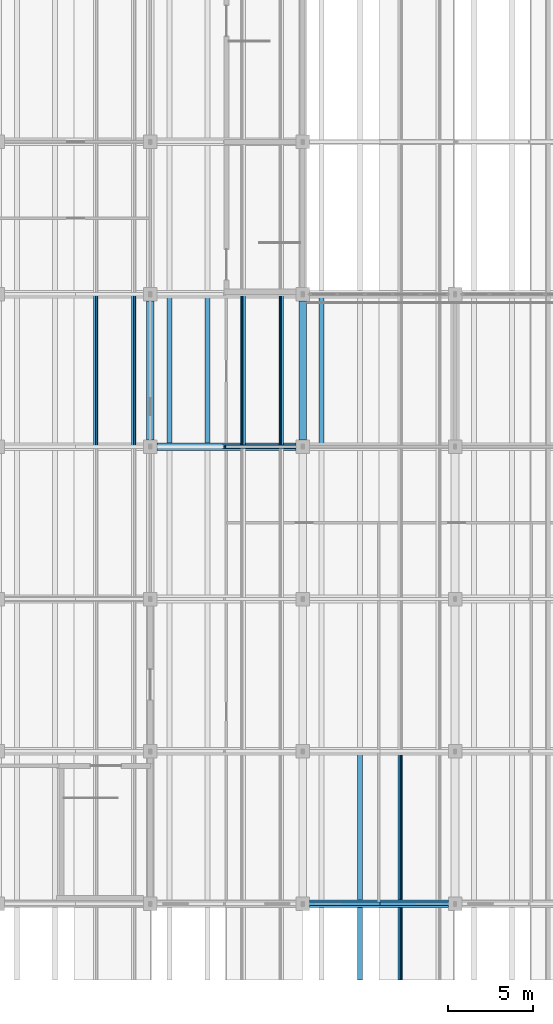
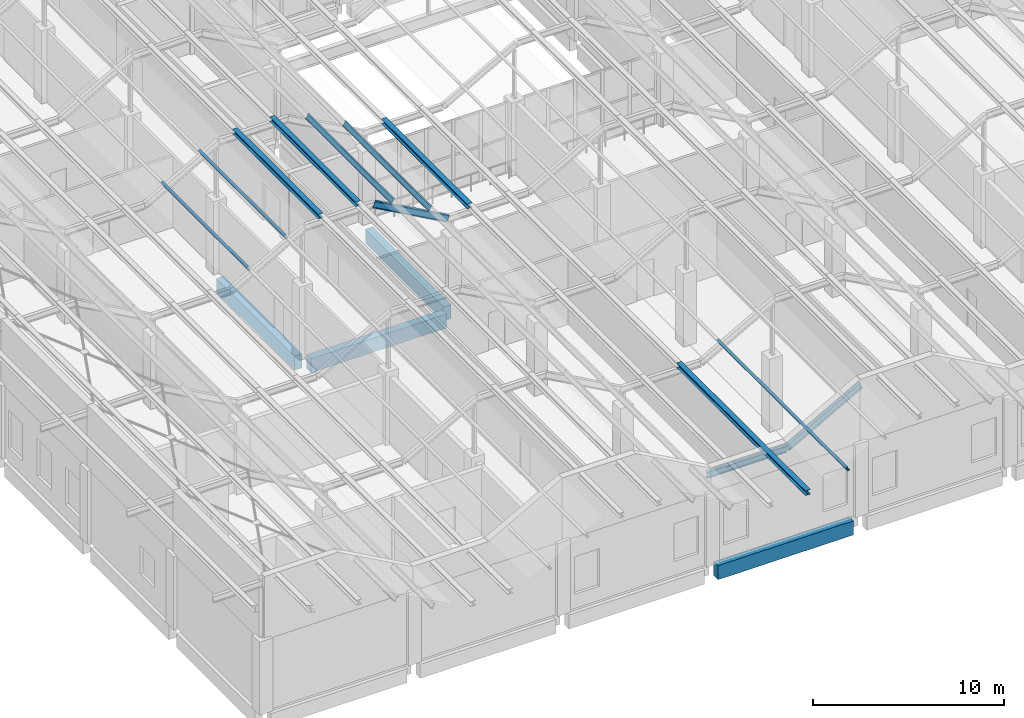
# One storey, part 18 of 437: 12 members, 4 beams.
"""IFC4 building model written with IfcOpenShell, lengths in metres."""

from ifc_helpers import new_model, si_unit, direction, frame, origin, origin_2d, place, context, subcontext, project, spatial, rectangle, i_section, extrude, material, material_profile, profile_set, type_object, element, save


model = new_model("IFC4")

# Units and contexts
model_context = context("Model", 3, precision=1e-05, world=origin(), true_north=direction((0.0, 1.0)))
body_context = subcontext(model_context, "Body", "Model", "MODEL_VIEW")
ifc_project = project(units=[si_unit("LENGTHUNIT", "METRE"), si_unit("AREAUNIT", "SQUARE_METRE"), si_unit("VOLUMEUNIT", "CUBIC_METRE"), si_unit("PLANEANGLEUNIT", "RADIAN"), si_unit("MASSUNIT", "GRAM", prefix="KILO")], contexts=[model_context])

# Site, building, storey
site_placement = place(None, origin())
site = spatial("IfcSite", under=ifc_project, at=site_placement, CompositionType="ELEMENT")
building_placement = place(site_placement, origin())
building = spatial("IfcBuilding", under=site, at=building_placement, Name="Opaline Strait Convention Centre", CompositionType="ELEMENT")
storey_placement = place(building_placement, frame((0.0, 0.0, 11.5)))
storey = spatial("IfcBuildingStorey", under=building, at=storey_placement, Name="L02", CompositionType="ELEMENT", Elevation=11.5)

# Members
ifc_material_1 = material(Name="Steel Q355B", Category="steel")
ifc_material_profile_1 = material_profile(ifc_material_1, i_section(OverallWidth=0.300048828125, OverallDepth=0.300048828125, WebThickness=0.010009765625, FlangeThickness=0.014892578125, FilletRadius=0.012939453125, at=origin_2d()), Name="HW 300x300x10x15")
ifc_profile_set_1 = profile_set([ifc_material_profile_1], Name="Steel Q355B")
member_type_1 = type_object("IfcMemberType", Name="Crest purlin HW 300x300x10x15", PredefinedType="PURLIN", material=ifc_profile_set_1)
for number, where, z_axis, x_axis, name in (
    (1, (28.125, 36.0, 8.449951171875), (0.0, 1.0, 0.0), (-1.0, 0.0, 0.0), "RU1 purlin facet 5 line 1"),
    (2, (30.375, 36.0, 8.449951171875), (0.0, 1.0, 0.0), (-1.0, 0.0, 0.0), "RU1 purlin facet 5 line 2"),
    (3, (37.125, 36.0, 5.949951171875), (0.0, 1.0, 0.0), (-1.0, 0.0, 0.0), "RU1 purlin facet 7 line 1"),
):
    element("IfcMember", number, at=place(storey_placement, frame(where, z_axis=z_axis, x_axis=x_axis)), inside=storey, type_object=member_type_1, Name=name, PredefinedType="PURLIN", context=body_context, shape_type="SweptSolid", body=[
        extrude(i_section(OverallWidth=0.300048828125, OverallDepth=0.300048828125, WebThickness=0.010009765625, FlangeThickness=0.014892578125, FilletRadius=0.012939453125, at=origin_2d()), origin(), (0.0, 0.0, 1.0), 9.0),
    ])
member_1_placement = place(storey_placement, frame((39.375, 4.5, 5.949951171875), z_axis=(0.0, 1.0, 0.0), x_axis=(-1.0, 0.0, 0.0)))
element("IfcMember", 4, at=member_1_placement, inside=storey, type_object=member_type_1, Name="RU1 purlin facet 7 line 2", PredefinedType="PURLIN", context=body_context, shape_type="SweptSolid", body=[
    extrude(i_section(OverallWidth=0.300048828125, OverallDepth=0.300048828125, WebThickness=0.010009765625, FlangeThickness=0.014892578125, FilletRadius=0.012939453125, at=origin_2d()), origin(), (0.0, 0.0, 1.0), 13.5),
])

# Beams
ifc_material_2 = material(Name="Concrete C35", Category="concrete")
ifc_material_profile_2 = material_profile(ifc_material_2, rectangle(XDim=0.449951171875, YDim=0.89990234375, at=origin_2d()), Name="RC 450x900")
ifc_profile_set_2 = profile_set([ifc_material_profile_2], Name="Concrete C35")
beam_type = type_object("IfcBeamType", Name="RC beam 450x900 C35", PredefinedType="BEAM", material=ifc_profile_set_2)
for number, where, z_axis, x_axis, name in (
    (5, (36.39990234375, 9.0, -0.72998046875), (1.0, 0.0, 0.0), (0.0, 1.0, 0.0), "XB1 L02 36/9-45/9"),
    (6, (27.39990234375, 36.0, -0.72998046875), (1.0, 0.0, 0.0), (0.0, 1.0, 0.0), "XB1 L02 27/36-36/36"),
    (7, (27.0, 36.39990234375, -0.72998046875), (0.0, 1.0, 0.0), (-1.0, 0.0, 0.0), "XB1 L02 27/36-27/45"),
    (8, (36.0, 36.39990234375, -0.72998046875), (0.0, 1.0, 0.0), (-1.0, 0.0, 0.0), "XB1 L02 36/36-36/45"),
):
    element("IfcBeam", number, at=place(storey_placement, frame(where, z_axis=z_axis, x_axis=x_axis)), inside=storey, type_object=beam_type, Name=name, PredefinedType="BEAM", context=body_context, shape_type="SweptSolid", body=[
        extrude(rectangle(XDim=0.449951171875, YDim=0.89990234375, at=origin_2d()), origin(), (0.0, 0.0, 1.0), 8.2001953125),
    ])

# Members
ifc_material_profile_3 = material_profile(ifc_material_1, i_section(OverallWidth=0.14990234375, OverallDepth=0.300048828125, WebThickness=0.006591796875, FlangeThickness=0.009033203125, FilletRadius=0.012939453125, at=origin_2d()), Name="HN 300x150x6.5x9")
ifc_profile_set_3 = profile_set([ifc_material_profile_3], Name="Steel Q355B")
member_type_2 = type_object("IfcMemberType", Name="Roof purlin HN 300x150x6.5x9", PredefinedType="PURLIN", material=ifc_profile_set_3)
for number, where, z_axis, x_axis, name in (
    (9, (23.770751953125, 36.0, 6.61279296875), (0.0, 1.0, 0.0), (-0.874157310866, 0.0, -0.485642868639), "RU1 purlin facet 4 line 1"),
    (10, (26.020751953125, 36.0, 7.86279296875), (0.0, 1.0, 0.0), (-0.874157310866, 0.0, -0.485642868639), "RU1 purlin facet 4 line 2"),
    (11, (32.479248046875, 36.0, 7.86279296875), (0.0, 1.0, 0.0), (-0.874157310866, 0.0, 0.485642868639), "RU1 purlin facet 6 line 1"),
    (12, (34.729248046875, 36.0, 6.61279296875), (0.0, 1.0, 0.0), (-0.874157310866, 0.0, 0.485642868639), "RU1 purlin facet 6 line 2"),
):
    element("IfcMember", number, at=place(storey_placement, frame(where, z_axis=z_axis, x_axis=x_axis)), inside=storey, type_object=member_type_2, Name=name, PredefinedType="PURLIN", context=body_context, shape_type="SweptSolid", body=[
        extrude(i_section(OverallWidth=0.14990234375, OverallDepth=0.300048828125, WebThickness=0.006591796875, FlangeThickness=0.009033203125, FilletRadius=0.012939453125, at=origin_2d()), origin(), (0.0, 0.0, 1.0), 9.0),
    ])
member_2_placement = place(storey_placement, frame((41.770751953125, 4.5, 6.61279296875), z_axis=(0.0, 1.0, 0.0), x_axis=(-0.874157310866, 0.0, -0.485642868639)))
element("IfcMember", 13, at=member_2_placement, inside=storey, type_object=member_type_2, Name="RU1 purlin facet 8 line 1", PredefinedType="PURLIN", context=body_context, shape_type="SweptSolid", body=[
    extrude(i_section(OverallWidth=0.14990234375, OverallDepth=0.300048828125, WebThickness=0.006591796875, FlangeThickness=0.009033203125, FilletRadius=0.012939453125, at=origin_2d()), origin(), (0.0, 0.0, 1.0), 13.5),
])
ifc_material_profile_4 = material_profile(ifc_material_1, i_section(OverallWidth=0.199951171875, OverallDepth=0.39990234375, WebThickness=0.008056640625, FlangeThickness=0.012939453125, FilletRadius=0.012939453125, at=origin_2d()), Name="HN 400x200x8x13")
ifc_profile_set_4 = profile_set([ifc_material_profile_4], Name="Steel Q355B")
member_type_3 = type_object("IfcMemberType", Name="Roof rafter HN 400x200x8x13", PredefinedType="RAFTER", material=ifc_profile_set_4)
member_3_placement = place(storey_placement, frame((35.83154296875, 9.0, 5.60009765625), z_axis=(1.0, 0.0, 0.0), x_axis=(0.0, 1.0, 0.0)))
element("IfcMember", 14, at=member_3_placement, inside=storey, type_object=member_type_3, Name="RR1 rafter line 1 facet 8", PredefinedType="RAFTER", context=body_context, shape_type="SweptSolid", body=[
    extrude(i_section(OverallWidth=0.199951171875, OverallDepth=0.39990234375, WebThickness=0.008056640625, FlangeThickness=0.012939453125, FilletRadius=0.012939453125, at=origin_2d()), origin(), (0.0, 0.0, 1.0), 4.8369140625),
])
for number, where, z_axis, x_axis, name in (
    (15, (40.66845703125, 9.0, 5.60009765625), (0.874157276122, 0.0, 0.485642931179), (0.0, 1.0, 0.0), "RR1 rafter line 1 facet 9"),
    (16, (31.33154296875, 36.0, 8.10009765625), (0.874157276122, 0.0, -0.485642931179), (0.0, 1.0, 0.0), "RR1 rafter line 4 facet 7"),
):
    element("IfcMember", number, at=place(storey_placement, frame(where, z_axis=z_axis, x_axis=x_axis)), inside=storey, type_object=member_type_3, Name=name, PredefinedType="RAFTER", context=body_context, shape_type="SweptSolid", body=[
        extrude(i_section(OverallWidth=0.199951171875, OverallDepth=0.39990234375, WebThickness=0.008056640625, FlangeThickness=0.012939453125, FilletRadius=0.012939453125, at=origin_2d()), origin(), (0.0, 0.0, 1.0), 5.147705078125),
    ])

save(model, "model.ifc")
